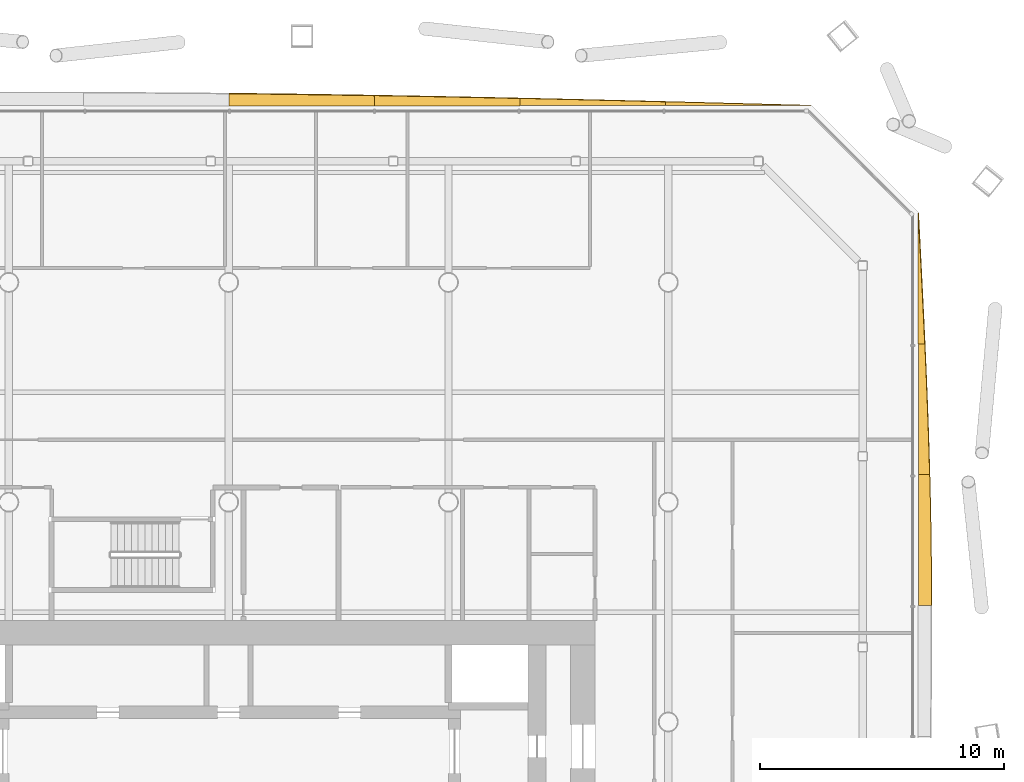
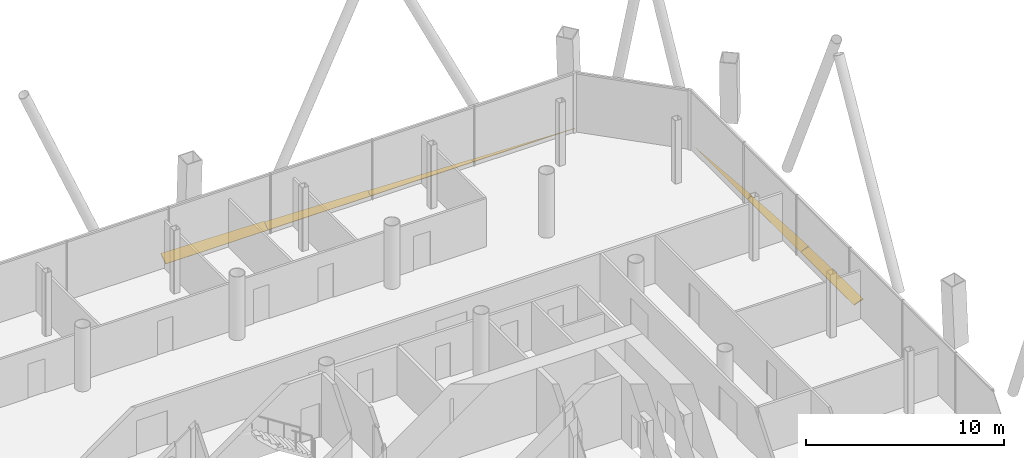
# One storey, part 22 of 22: 7 shading devices.
"""IFC4 building model written with IfcOpenShell, lengths in metres."""

from ifc_helpers import new_model, si_unit, direction, frame, origin, place, context, subcontext, project, spatial, polyline, outline, extrude, material, layer, layer_set, type_object, element, save


model = new_model("IFC4")

# Units and contexts
model_context = context("Model", 3, precision=1e-05, world=origin(), true_north=direction((0.0, 1.0)))
body_context = subcontext(model_context, "Body", "Model", "MODEL_VIEW")
ifc_project = project(units=[si_unit("LENGTHUNIT", "METRE"), si_unit("AREAUNIT", "SQUARE_METRE"), si_unit("VOLUMEUNIT", "CUBIC_METRE"), si_unit("PLANEANGLEUNIT", "RADIAN"), si_unit("MASSUNIT", "GRAM", prefix="KILO")], contexts=[model_context])

# Site, building, storey
site_placement = place(None, origin())
site = spatial("IfcSite", under=ifc_project, at=site_placement, CompositionType="ELEMENT")
building_placement = place(site_placement, origin())
building = spatial("IfcBuilding", under=site, at=building_placement, Name="Tskaro Facet Tower", CompositionType="ELEMENT")
storey_placement = place(building_placement, frame((0.0, 0.0, 73.800048828125)))
storey = spatial("IfcBuildingStorey", under=building, at=storey_placement, Name="L17", CompositionType="ELEMENT", Elevation=73.800048828125)

# Shading devices
ifc_material = material(Name="Bronze anodised aluminium 6063-T6", Category="aluminium")
ifc_layer = layer(ifc_material, 0.06005859375, Name="Bronze anodised aluminium 6063-T6")
ifc_layer_set = layer_set([ifc_layer], Name="Bronze anodised aluminium 6063-T6")
shading_device_type = type_object("IfcShadingDeviceType", Name="Bronze sun blade (FN1)", PredefinedType="USERDEFINED", material=ifc_layer_set)
shading_device_1_placement = place(storey_placement, frame((28.240478515625, 4.763916015625, 0.056396484375), z_axis=(-0.341853167589, -2.936272e-06, 0.93975337818), x_axis=(-1.003774e-06, 0.999999999996, 2.759371e-06)))
element("IfcShadingDevice", 1, at=shading_device_1_placement, inside=storey, type_object=shading_device_type, Name="Fin blade east 6", ObjectType="FIN", PredefinedType="USERDEFINED", context=body_context, shape_type="SweptSolid", body=[
    extrude(outline(polyline([(0.0, 0.0), (5.361328124976889, 0.0), (5.361328124929843, -0.4928200302862782), (4.691162109240321, -0.510737342855727), (4.020996093490273, -0.5265688188704287), (3.350830078598432, -0.5401684865992814), (2.6806640622987143, -0.5515153972813995), (2.0104980468572045, -0.5606304996776688), (1.3403320309265545, -0.5673468732961013), (0.6701660160991745, -0.5716020066515891), (-1.360831276429206e-10, -0.5736043829603424), (0.0, 0.0)])), origin(), (0.0, 0.0, -1.0), 0.06005859375),
])
shading_device_2_placement = place(storey_placement, frame((28.235595703125, 10.125244140625, 0.054443359375), z_axis=(-0.422329103885, 8.90321e-06, 0.906442567366), x_axis=(3.760085e-06, 0.99999999996, -8.070249e-06)))
element("IfcShadingDevice", 2, at=shading_device_2_placement, inside=storey, type_object=shading_device_type, Name="Fin blade east 7", ObjectType="FIN", PredefinedType="USERDEFINED", context=body_context, shape_type="SweptSolid", body=[
    extrude(outline(polyline([(0.0, 0.0), (5.361328124787511, 2.270610781458061e-21), (5.361328125414015, -0.2938164125530271), (4.691162109504582, -0.32669208446352294), (4.020996093998038, -0.3579306365702798), (3.3508300778420983, -0.38785647601961215), (2.680664062089049, -0.4161451956652054), (2.0104980467388898, -0.4427967955070598), (1.3403320308736306, -0.4675899760902433), (0.6701660155455585, -0.49020033026844156), (-2.9761301193929283e-10, -0.5109522651879688), (0.0, 0.0)])), origin(), (0.0, 0.0, -1.0), 0.06005859375),
])
shading_device_3_placement = place(storey_placement, frame((28.23095703125, 15.486572265625, 0.052001953125), z_axis=(-0.499344314239, 8.909902e-06, 0.866403633278), x_axis=(4.449109e-06, 0.99999999996, -7.719571e-06)))
element("IfcShadingDevice", 3, at=shading_device_3_placement, inside=storey, type_object=shading_device_type, Name="Fin blade east 8", ObjectType="FIN", PredefinedType="USERDEFINED", context=body_context, shape_type="SweptSolid", body=[
    extrude(outline(polyline([(0.0, 0.0), (5.3613281247871925, 0.0), (4.691162109974368, -0.04024461751292342), (4.020996094075335, -0.08027771070130768), (3.350830077888546, -0.11976584500764015), (2.6806640625002114, -0.15892054475646), (2.0104980468241207, -0.19753028562322808), (1.3403320316587268, -0.23526163305043177), (0.6701660140331615, -0.27202497294650535), (-3.9859302449905994e-10, -0.3074545746125285), (0.0, 0.0)])), origin(), (0.0, 0.0, -1.0), 0.06005859375),
])
shading_device_4_placement = place(storey_placement, frame((23.847900390625, 25.240478515625, 0.056396484375), z_axis=(4.5708215e-05, -0.340783086811, 0.940141949737), x_axis=(-0.999999998955, -1.5576587e-05, 4.2972211e-05)))
element("IfcShadingDevice", 4, at=shading_device_4_placement, inside=storey, type_object=shading_device_type, Name="Fin blade north 1", ObjectType="FIN", PredefinedType="USERDEFINED", context=body_context, shape_type="SweptSolid", body=[
    extrude(outline(polyline([(0.0, 0.0), (5.956542962527673, 0.0), (5.956542974984873, -0.16473898678983243), (5.211914058087696, -0.14465264896435076), (4.4672851554846575, -0.1244199832913222), (3.7226562461932353, -0.10387459177896616), (2.9782714775265573, -0.0833292002666101), (2.233642572038012, -0.06255428191081687), (1.4890136665494675, -0.041779363555023645), (0.7443847648638, -0.020774918355793228), (0.0, 0.0)])), origin(), (0.0, 0.0, -1.0), 0.06005859375),
])
shading_device_5_placement = place(storey_placement, frame((17.891357421875, 25.235595703125, 0.054443359375), z_axis=(6.83989e-06, -0.422006312664, 0.90659289211), x_axis=(-0.999999999977, -2.886477e-06, 6.200996e-06)))
element("IfcShadingDevice", 5, at=shading_device_5_placement, inside=storey, type_object=shading_device_type, Name="Fin blade north 2", ObjectType="FIN", PredefinedType="USERDEFINED", context=body_context, shape_type="SweptSolid", body=[
    extrude(outline(polyline([(0.0, 0.0), (5.956542968610664, 0.0), (5.956542968563742, -0.3274591137220082), (5.21191406331982, -0.3092143597283964), (4.467285156457483, -0.2903208756543133), (3.7229003909248446, -0.2712060554249246), (2.978271483958004, -0.25176687015530025), (2.233642577695869, -0.23210634873037034), (1.489013671329232, -0.21190012610989917), (0.7443847656673009, -0.19147256733412246), (-8.835504119679788e-10, -0.17094197967341562), (0.0, 0.0)])), origin(), (0.0, 0.0, -1.0), 0.06005859375),
])
shading_device_6_placement = place(storey_placement, frame((11.934814453125, 25.23095703125, 0.052001953125), z_axis=(1.8587034e-05, -0.499863205328, 0.866104367622), x_axis=(-0.999999999827, -9.290974e-06, 1.6098311e-05)))
element("IfcShadingDevice", 6, at=shading_device_6_placement, inside=storey, type_object=shading_device_type, Name="Fin blade north 3", ObjectType="FIN", PredefinedType="USERDEFINED", context=body_context, shape_type="SweptSolid", body=[
    extrude(outline(polyline([(0.0, 0.0), (5.956542967721074, -1.0090776292534385e-20), (5.956542968999847, -0.47755054050297274), (5.211914061260796, -0.46256047925792027), (4.467285154128102, -0.4470254785741575), (3.722900392156973, -0.4310675753670688), (2.978271486236992, -0.4144426958058854), (2.233642576993116, -0.39715083989060734), (1.4890136700175443, -0.3796475327136663), (0.7446289065415913, -0.36138783483635206), (-3.1515186580301704e-09, -0.342672611866606), (0.0, 0.0)])), origin(), (0.0, 0.0, -1.0), 0.06005859375),
])
shading_device_7_placement = place(storey_placement, frame((5.978271484375, 25.2265625, 0.049072265625), z_axis=(-4.449634e-06, -0.573528313388, 0.819185738232), x_axis=(-0.99999999999, 2.551991e-06, -3.645077e-06)))
element("IfcShadingDevice", 7, at=shading_device_7_placement, inside=storey, type_object=shading_device_type, Name="Fin blade north 4", ObjectType="FIN", PredefinedType="USERDEFINED", context=body_context, shape_type="SweptSolid", body=[
    extrude(outline(polyline([(0.0, 0.0), (5.956542968691032, 0.0), (5.956542968907802, -0.6049635698143563), (5.211914062572658, -0.5951431888158274), (4.467529296773201, -0.5844427751411492), (3.72290039088248, -0.5730623253084468), (2.9782714840125353, -0.5609418643604823), (2.2336425779431908, -0.5478013491754814), (1.4890136721407126, -0.5343208159114683), (0.7446289059840094, -0.5201002715321932), (2.9084885829643763e-12, -0.5048596729158816), (0.0, 0.0)])), origin(), (0.0, 0.0, -1.0), 0.06005859375),
])

save(model, "model.ifc")
